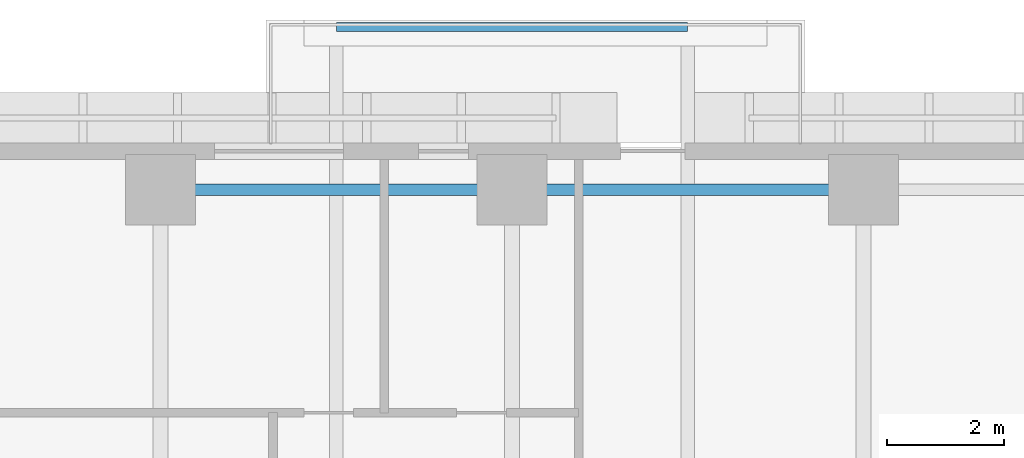
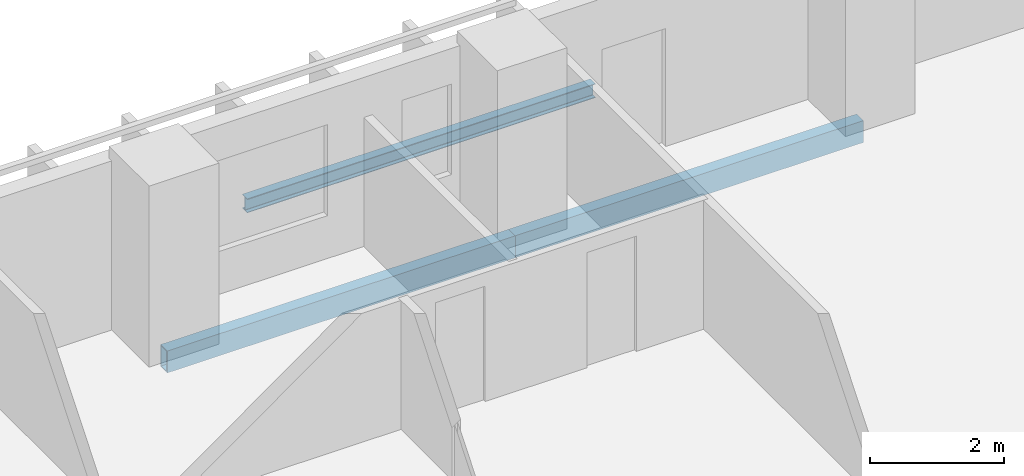
# One storey, part 9 of 33: 3 beams.
"""IFC4 building model written with IfcOpenShell, lengths in metres."""

from ifc_helpers import new_model, si_unit, direction, frame, origin, origin_2d, place, context, subcontext, project, spatial, hollow_rectangle, i_section, extrude, material, material_profile, profile_set, type_object, element, save


model = new_model("IFC4")

# Units and contexts
model_context = context("Model", 3, precision=1e-05, world=origin(), true_north=direction((0.0, 1.0)))
body_context = subcontext(model_context, "Body", "Model", "MODEL_VIEW")
ifc_project = project(units=[si_unit("LENGTHUNIT", "METRE"), si_unit("AREAUNIT", "SQUARE_METRE"), si_unit("VOLUMEUNIT", "CUBIC_METRE"), si_unit("PLANEANGLEUNIT", "RADIAN"), si_unit("MASSUNIT", "GRAM", prefix="KILO")], contexts=[model_context])

# Site, building, storey
site_placement = place(None, origin())
site = spatial("IfcSite", under=ifc_project, at=site_placement, CompositionType="ELEMENT")
building_placement = place(site_placement, origin())
building = spatial("IfcBuilding", under=site, at=building_placement, Name="Tanjung Sevakor Pilgrim Tower", CompositionType="ELEMENT")
storey_placement = place(building_placement, frame((0.0, 0.0, 52.139892578125)))
storey = spatial("IfcBuildingStorey", under=building, at=storey_placement, Name="L14", CompositionType="ELEMENT", Elevation=52.139892578125)

# Beams
ifc_material_1 = material(Name="Steel S355J2", Category="steel")
ifc_material_profile_1 = material_profile(ifc_material_1, i_section(OverallWidth=0.146484375, OverallDepth=0.256103515625, WebThickness=0.00634765625, FlangeThickness=0.010986328125, FilletRadius=0.007568359375, at=origin_2d()))
ifc_profile_set_1 = profile_set([ifc_material_profile_1], Name="Steel S355J2")
beam_type_1 = type_object("IfcBeamType", Name="BM-B-J6-UB_254x146x37", PredefinedType="JOIST", material=ifc_profile_set_1)
beam_placement = place(storey_placement, frame((27.0, 61.580078125, -0.327880859375), z_axis=(1.0, 0.0, 0.0), x_axis=(0.0, 1.0, 0.0)))
element("IfcBeam", 1, at=beam_placement, inside=storey, type_object=beam_type_1, Name="L14 Balcony Rim Tie MAIN-N1", PredefinedType="JOIST", context=body_context, shape_type="SweptSolid", body=[
    extrude(i_section(OverallWidth=0.146484375, OverallDepth=0.256103515625, WebThickness=0.00634765625, FlangeThickness=0.010986328125, FilletRadius=0.007568359375, at=origin_2d()), origin(), (0.0, 0.0, 1.0), 6.0),
])
ifc_material_2 = material(Name="Steel S355J2", Category="steel")
ifc_material_profile_2 = material_profile(ifc_material_2, hollow_rectangle(XDim=0.199951171875, YDim=0.39990234375, WallThickness=0.01611328125, at=origin_2d()))
ifc_profile_set_2 = profile_set([ifc_material_profile_2], Name="Steel S355J2")
beam_type_2 = type_object("IfcBeamType", Name="BM-B-SP2-RHS_400x200x16", PredefinedType="SPANDREL", material=ifc_profile_set_2)
for number, where, z_axis, x_axis, name in (
    (2, (24.0, 58.800048828125, -0.419921875), (1.0, 0.0, 0.0), (0.0, 1.0, 0.0), "L14 Spandrel MAIN N-02"),
    (3, (30.0, 58.800048828125, -0.419921875), (1.0, 0.0, 0.0), (0.0, 1.0, 0.0), "L14 Spandrel MAIN N-04"),
):
    element("IfcBeam", number, at=place(storey_placement, frame(where, z_axis=z_axis, x_axis=x_axis)), inside=storey, type_object=beam_type_2, Name=name, PredefinedType="SPANDREL", context=body_context, shape_type="SweptSolid", body=[
        extrude(hollow_rectangle(XDim=0.199951171875, YDim=0.39990234375, WallThickness=0.01611328125, at=origin_2d()), origin(), (0.0, 0.0, 1.0), 6.0),
    ])

save(model, "model.ifc")
